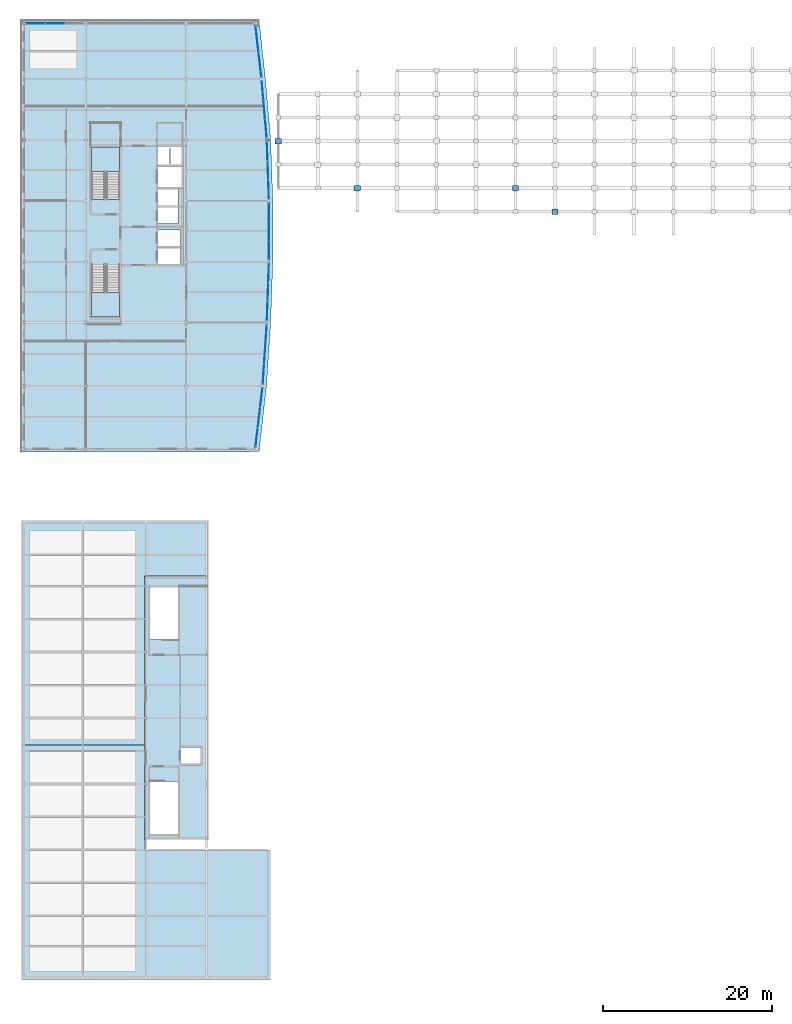
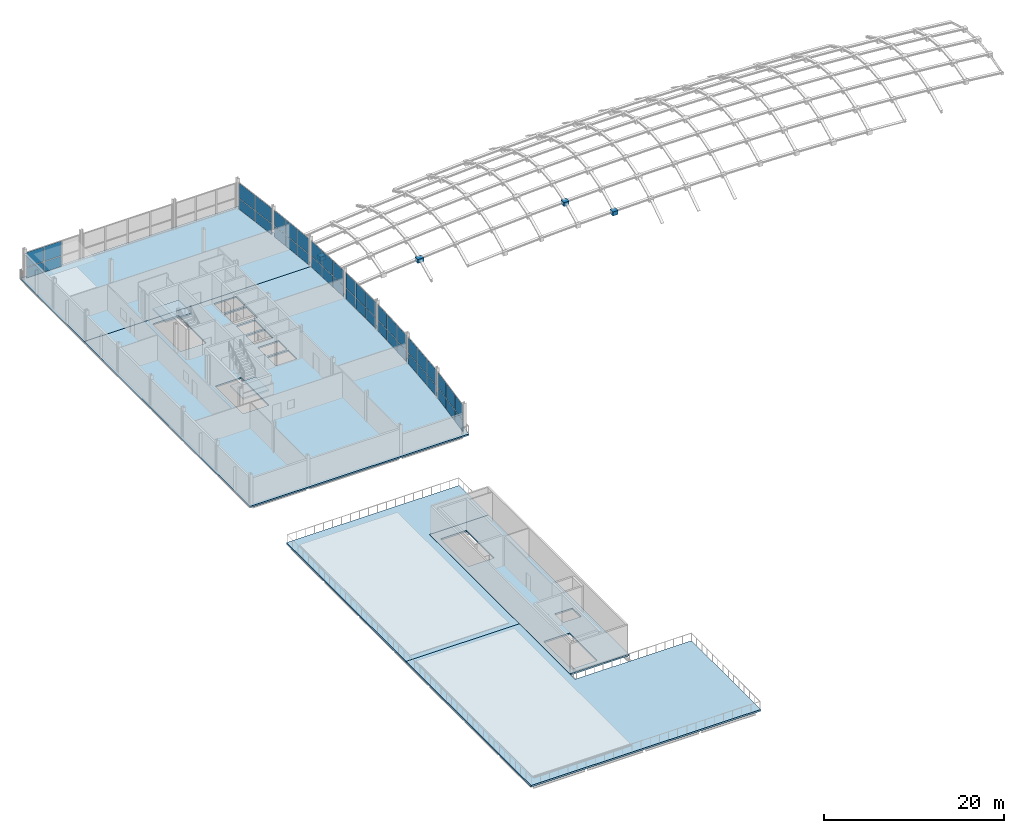
# One storey, part 20 of 36: 48 plates, 7 slabs, 10 elements without a shape of their own.
"""IFC4 building model written with IfcOpenShell, lengths in metres."""

from ifc_helpers import new_model, si_unit, direction, frame, origin, origin_2d, place, context, subcontext, project, spatial, polyline, rectangle, outline, extrude, material, layer, layer_set, type_object, element, aggregate, save


model = new_model("IFC4")

# Units and contexts
model_context = context("Model", 3, precision=1e-05, world=origin(), true_north=direction((0.0, 1.0)))
body_context = subcontext(model_context, "Body", "Model", "MODEL_VIEW")
ifc_project = project(units=[si_unit("LENGTHUNIT", "METRE"), si_unit("AREAUNIT", "SQUARE_METRE"), si_unit("VOLUMEUNIT", "CUBIC_METRE"), si_unit("PLANEANGLEUNIT", "RADIAN"), si_unit("MASSUNIT", "GRAM", prefix="KILO")], contexts=[model_context])

# Site, building, storey
site_placement = place(None, origin())
site = spatial("IfcSite", under=ifc_project, at=site_placement, CompositionType="ELEMENT")
building_placement = place(site_placement, origin())
building = spatial("IfcBuilding", under=site, at=building_placement, Name="Quillay Park Conservatory", CompositionType="ELEMENT")
storey_placement = place(building_placement, frame((0.0, 0.0, 18.300048828125)))
storey = spatial("IfcBuildingStorey", under=building, at=storey_placement, Name="L04", CompositionType="ELEMENT", Elevation=18.300048828125)

# Plates
ifc_material_1 = material(Name="Steel S355J2H", Category="steel")
ifc_layer_1 = layer(ifc_material_1, 0.0439453125)
ifc_layer_set_1 = layer_set([ifc_layer_1], Name="BOLTED GUSSET NODE PLATE GN04 (Steel S355J2H)")
plate_type_1 = type_object("IfcPlateType", Name="BOLTED GUSSET NODE PLATE GN04", PredefinedType="USERDEFINED", material=ifc_layer_set_1)
for number, where, z_axis, x_axis, name in (
    (1, (58.716796875, 93.905029296875, 1.6201171875), (0.0, 0.0, 1.0), (1.0, 0.0, 0.0), "Conservatory gridshell star node GN04 (6,3)"),
    (2, (63.394287109375, 91.1201171875, 0.3974609375), (0.0, 0.0, 1.0), (1.0, 0.0, 0.0), "Conservatory gridshell star node GN04 (7,2)"),
):
    element("IfcPlate", number, at=place(storey_placement, frame(where, z_axis=z_axis, x_axis=x_axis)), inside=storey, type_object=plate_type_1, Name=name, ObjectType="GUSSET PLATE", PredefinedType="USERDEFINED", context=body_context, shape_type="SweptSolid", body=[
        extrude(rectangle(XDim=0.679931640625, YDim=0.679931640625, at=origin_2d()), origin(), (0.0, 0.0, 1.0), 0.5400390625),
    ])
ifc_material_2 = material(Name="Steel S355J2H", Category="steel")
ifc_layer_2 = layer(ifc_material_2, 0.052001953125)
ifc_layer_set_2 = layer_set([ifc_layer_2], Name="BOLTED GUSSET NODE PLATE GN06 (Steel S355J2H)")
plate_type_2 = type_object("IfcPlateType", Name="BOLTED GUSSET NODE PLATE GN06", PredefinedType="USERDEFINED", material=ifc_layer_set_2)
for number, where, z_axis, x_axis, name in (
    (3, (30.64990234375, 99.47509765625, 0.6474609375), (0.0, 0.0, 1.0), (1.0, 0.0, 0.0), "Conservatory gridshell star node GN06 (0,5)"),
    (4, (40.005615234375, 93.905029296875, 0.4560546875), (0.0, 0.0, 1.0), (1.0, 0.0, 0.0), "Conservatory gridshell star node GN06 (2,3)"),
):
    element("IfcPlate", number, at=place(storey_placement, frame(where, z_axis=z_axis, x_axis=x_axis)), inside=storey, type_object=plate_type_2, Name=name, ObjectType="GUSSET PLATE", PredefinedType="USERDEFINED", context=body_context, shape_type="SweptSolid", body=[
        extrude(rectangle(XDim=0.760009765625, YDim=0.639892578125, at=origin_2d()), origin(), (0.0, 0.0, 1.0), 0.5400390625),
    ])

# Curtain wall, plates
ifc_material_3 = material(Name="Thermally Broken Anodised Aluminium 6063-T6", Category="aluminium")
ifc_layer_3 = layer(ifc_material_3, 0.179931640625)
ifc_layer_set_3 = layer_set([ifc_layer_3], Name="UNITISED CURTAIN WALL TOWER (Thermally Broken Anodised Aluminium 6063-T6)")
curtain_wall_type = type_object("IfcCurtainWallType", Name="UNITISED CURTAIN WALL TOWER", PredefinedType="USERDEFINED", material=ifc_layer_set_3)
curtain_wall_1_placement = place(storey_placement, origin())
curtain_wall_1 = element("IfcCurtainWall", 5, at=curtain_wall_1_placement, inside=storey, type_object=curtain_wall_type, Name="L04 Unitised Curtain Wall 038", ObjectType="UNITISED CURTAIN WALL", PredefinedType="USERDEFINED")
ifc_material_4 = material(Name="Low-E Double Glazing (Laminated Tempered)", Category="glass")
ifc_layer_4 = layer(ifc_material_4, 0.028076171875)
ifc_layer_set_4 = layer_set([ifc_layer_4], Name="CURTAIN WALL GLAZED PANEL 28 (Low-E Double Glazing (Laminated Tempered))")
plate_type_3 = type_object("IfcPlateType", Name="CURTAIN WALL GLAZED PANEL 28", PredefinedType="CURTAIN_PANEL", material=ifc_layer_set_4)
plate_1_placement = place(storey_placement, frame((28.636474609375, 69.108642578125, 0.06982421875), z_axis=(0.0, 0.0, 1.0), x_axis=(-0.116654959918, -0.993172502804, 0.0)))
plate_1 = element("IfcPlate", 6, at=plate_1_placement, type_object=plate_type_3, Name="CW-T1 panel 1.1", PredefinedType="CURTAIN_PANEL", context=body_context, shape_type="SweptSolid", body=[
    extrude(rectangle(XDim=2.26220703125, YDim=0.028076171875, at=origin_2d()), origin(), (0.0, 0.0, 1.0), 1.4541015625),
])
plate_2_placement = place(storey_placement, frame((28.636474609375, 69.108642578125, 1.59375), z_axis=(0.0, 0.0, 1.0), x_axis=(-0.116654959918, -0.993172502804, 0.0)))
plate_2 = element("IfcPlate", 7, at=plate_2_placement, type_object=plate_type_3, Name="CW-T1 panel 1.2", PredefinedType="CURTAIN_PANEL", context=body_context, shape_type="SweptSolid", body=[
    extrude(rectangle(XDim=2.26220703125, YDim=0.028076171875, at=origin_2d()), origin(), (0.0, 0.0, 1.0), 2.048095703125),
])
plate_3_placement = place(storey_placement, frame((28.362548828125, 66.77490234375, 0.06982421875), z_axis=(0.0, 0.0, 1.0), x_axis=(-0.116654959918, -0.993172502804, 0.0)))
plate_3 = element("IfcPlate", 8, at=plate_3_placement, type_object=plate_type_3, Name="CW-T1 panel 2.1", PredefinedType="CURTAIN_PANEL", context=body_context, shape_type="SweptSolid", body=[
    extrude(rectangle(XDim=2.297119140625, YDim=0.028076171875, at=origin_2d()), origin(), (0.0, 0.0, 1.0), 1.4541015625),
])
plate_4_placement = place(storey_placement, frame((28.362548828125, 66.77490234375, 1.59375), z_axis=(0.0, 0.0, 1.0), x_axis=(-0.116654959918, -0.993172502804, 0.0)))
plate_4 = element("IfcPlate", 9, at=plate_4_placement, type_object=plate_type_3, Name="CW-T1 panel 2.2", PredefinedType="CURTAIN_PANEL", context=body_context, shape_type="SweptSolid", body=[
    extrude(rectangle(XDim=2.297119140625, YDim=0.028076171875, at=origin_2d()), origin(), (0.0, 0.0, 1.0), 2.048095703125),
])
plate_5_placement = place(storey_placement, frame((28.08837890625, 64.44140625, 0.06982421875), z_axis=(0.0, 0.0, 1.0), x_axis=(-0.116654959918, -0.993172502804, 0.0)))
plate_5 = element("IfcPlate", 10, at=plate_5_placement, type_object=plate_type_3, Name="CW-T1 panel 3.1", PredefinedType="CURTAIN_PANEL", context=body_context, shape_type="SweptSolid", body=[
    extrude(rectangle(XDim=2.26220703125, YDim=0.028076171875, at=origin_2d()), origin(), (0.0, 0.0, 1.0), 1.4541015625),
])
plate_6_placement = place(storey_placement, frame((28.08837890625, 64.44140625, 1.59375), z_axis=(0.0, 0.0, 1.0), x_axis=(-0.116654959918, -0.993172502804, 0.0)))
plate_6 = element("IfcPlate", 11, at=plate_6_placement, type_object=plate_type_3, Name="CW-T1 panel 3.2", PredefinedType="CURTAIN_PANEL", context=body_context, shape_type="SweptSolid", body=[
    extrude(rectangle(XDim=2.26220703125, YDim=0.028076171875, at=origin_2d()), origin(), (0.0, 0.0, 1.0), 2.048095703125),
])
aggregate(curtain_wall_1, [plate_1, plate_2, plate_3, plate_4, plate_5, plate_6])

curtain_wall_2_placement = place(storey_placement, origin())
curtain_wall_2 = element("IfcCurtainWall", 12, at=curtain_wall_2_placement, inside=storey, type_object=curtain_wall_type, Name="L04 Unitised Curtain Wall 039", ObjectType="UNITISED CURTAIN WALL", PredefinedType="USERDEFINED")
plate_7_placement = place(storey_placement, frame((29.20654296875, 76.599365234375, 0.06982421875), z_axis=(0.0, 0.0, 1.0), x_axis=(-0.0665208758, -0.997785033503, 0.0)))
plate_7 = element("IfcPlate", 13, at=plate_7_placement, type_object=plate_type_3, Name="CW-T1 panel 1.1", PredefinedType="CURTAIN_PANEL", context=body_context, shape_type="SweptSolid", body=[
    extrude(rectangle(XDim=2.26708984375, YDim=0.028076171875, at=origin_2d()), origin(), (0.0, 0.0, 1.0), 1.4541015625),
])
plate_8_placement = place(storey_placement, frame((29.20654296875, 76.599365234375, 1.59375), z_axis=(0.0, 0.0, 1.0), x_axis=(-0.0665208758, -0.997785033503, 0.0)))
plate_8 = element("IfcPlate", 14, at=plate_8_placement, type_object=plate_type_3, Name="CW-T1 panel 1.2", PredefinedType="CURTAIN_PANEL", context=body_context, shape_type="SweptSolid", body=[
    extrude(rectangle(XDim=2.26708984375, YDim=0.028076171875, at=origin_2d()), origin(), (0.0, 0.0, 1.0), 2.048095703125),
])
plate_9_placement = place(storey_placement, frame((29.050048828125, 74.25, 0.06982421875), z_axis=(0.0, 0.0, 1.0), x_axis=(-0.0665208758, -0.997785033503, 0.0)))
plate_9 = element("IfcPlate", 15, at=plate_9_placement, type_object=plate_type_3, Name="CW-T1 panel 2.1", PredefinedType="CURTAIN_PANEL", context=body_context, shape_type="SweptSolid", body=[
    extrude(rectangle(XDim=2.30224609375, YDim=0.028076171875, at=origin_2d()), origin(), (0.0, 0.0, 1.0), 1.4541015625),
])
plate_10_placement = place(storey_placement, frame((29.050048828125, 74.25, 1.59375), z_axis=(0.0, 0.0, 1.0), x_axis=(-0.0665208758, -0.997785033503, 0.0)))
plate_10 = element("IfcPlate", 16, at=plate_10_placement, type_object=plate_type_3, Name="CW-T1 panel 2.2", PredefinedType="CURTAIN_PANEL", context=body_context, shape_type="SweptSolid", body=[
    extrude(rectangle(XDim=2.30224609375, YDim=0.028076171875, at=origin_2d()), origin(), (0.0, 0.0, 1.0), 2.048095703125),
])
plate_11_placement = place(storey_placement, frame((28.893310546875, 71.900634765625, 0.06982421875), z_axis=(0.0, 0.0, 1.0), x_axis=(-0.0665208758, -0.997785033503, 0.0)))
plate_11 = element("IfcPlate", 17, at=plate_11_placement, type_object=plate_type_3, Name="CW-T1 panel 3.1", PredefinedType="CURTAIN_PANEL", context=body_context, shape_type="SweptSolid", body=[
    extrude(rectangle(XDim=2.26708984375, YDim=0.028076171875, at=origin_2d()), origin(), (0.0, 0.0, 1.0), 1.4541015625),
])
plate_12_placement = place(storey_placement, frame((28.893310546875, 71.900634765625, 1.59375), z_axis=(0.0, 0.0, 1.0), x_axis=(-0.0665208758, -0.997785033503, 0.0)))
plate_12 = element("IfcPlate", 18, at=plate_12_placement, type_object=plate_type_3, Name="CW-T1 panel 3.2", PredefinedType="CURTAIN_PANEL", context=body_context, shape_type="SweptSolid", body=[
    extrude(rectangle(XDim=2.26708984375, YDim=0.028076171875, at=origin_2d()), origin(), (0.0, 0.0, 1.0), 2.048095703125),
])
aggregate(curtain_wall_2, [plate_7, plate_8, plate_9, plate_10, plate_11, plate_12])

curtain_wall_3_placement = place(storey_placement, origin())
curtain_wall_3 = element("IfcCurtainWall", 19, at=curtain_wall_3_placement, inside=storey, type_object=curtain_wall_type, Name="L04 Unitised Curtain Wall 040", ObjectType="UNITISED CURTAIN WALL", PredefinedType="USERDEFINED")
plate_13_placement = place(storey_placement, frame((29.503173828125, 83.849365234375, 0.06982421875), z_axis=(0.0, 0.0, 1.0), x_axis=(-0.034713338537, -0.999397310446, 0.0)))
plate_13 = element("IfcPlate", 20, at=plate_13_placement, type_object=plate_type_3, Name="CW-T1 panel 1.1", PredefinedType="CURTAIN_PANEL", context=body_context, shape_type="SweptSolid", body=[
    extrude(rectangle(XDim=2.1630859375, YDim=0.028076171875, at=origin_2d()), origin(), (0.0, 0.0, 1.0), 1.4541015625),
])
plate_14_placement = place(storey_placement, frame((29.503173828125, 83.849365234375, 1.59375), z_axis=(0.0, 0.0, 1.0), x_axis=(-0.034713338537, -0.999397310446, 0.0)))
plate_14 = element("IfcPlate", 21, at=plate_14_placement, type_object=plate_type_3, Name="CW-T1 panel 1.2", PredefinedType="CURTAIN_PANEL", context=body_context, shape_type="SweptSolid", body=[
    extrude(rectangle(XDim=2.1630859375, YDim=0.028076171875, at=origin_2d()), origin(), (0.0, 0.0, 1.0), 2.048095703125),
])
plate_15_placement = place(storey_placement, frame((29.425048828125, 81.60009765625, 0.06982421875), z_axis=(0.0, 0.0, 1.0), x_axis=(-0.034713338537, -0.999397310446, 0.0)))
plate_15 = element("IfcPlate", 22, at=plate_15_placement, type_object=plate_type_3, Name="CW-T1 panel 2.1", PredefinedType="CURTAIN_PANEL", context=body_context, shape_type="SweptSolid", body=[
    extrude(rectangle(XDim=2.197998046875, YDim=0.028076171875, at=origin_2d()), origin(), (0.0, 0.0, 1.0), 1.4541015625),
])
plate_16_placement = place(storey_placement, frame((29.425048828125, 81.60009765625, 1.59375), z_axis=(0.0, 0.0, 1.0), x_axis=(-0.034713338537, -0.999397310446, 0.0)))
plate_16 = element("IfcPlate", 23, at=plate_16_placement, type_object=plate_type_3, Name="CW-T1 panel 2.2", PredefinedType="CURTAIN_PANEL", context=body_context, shape_type="SweptSolid", body=[
    extrude(rectangle(XDim=2.197998046875, YDim=0.028076171875, at=origin_2d()), origin(), (0.0, 0.0, 1.0), 2.048095703125),
])
plate_17_placement = place(storey_placement, frame((29.346923828125, 79.350830078125, 0.06982421875), z_axis=(0.0, 0.0, 1.0), x_axis=(-0.034713338537, -0.999397310446, 0.0)))
plate_17 = element("IfcPlate", 24, at=plate_17_placement, type_object=plate_type_3, Name="CW-T1 panel 3.1", PredefinedType="CURTAIN_PANEL", context=body_context, shape_type="SweptSolid", body=[
    extrude(rectangle(XDim=2.1630859375, YDim=0.028076171875, at=origin_2d()), origin(), (0.0, 0.0, 1.0), 1.4541015625),
])
plate_18_placement = place(storey_placement, frame((29.346923828125, 79.350830078125, 1.59375), z_axis=(0.0, 0.0, 1.0), x_axis=(-0.034713338537, -0.999397310446, 0.0)))
plate_18 = element("IfcPlate", 25, at=plate_18_placement, type_object=plate_type_3, Name="CW-T1 panel 3.2", PredefinedType="CURTAIN_PANEL", context=body_context, shape_type="SweptSolid", body=[
    extrude(rectangle(XDim=2.1630859375, YDim=0.028076171875, at=origin_2d()), origin(), (0.0, 0.0, 1.0), 2.048095703125),
])
aggregate(curtain_wall_3, [plate_13, plate_14, plate_15, plate_16, plate_17, plate_18])

curtain_wall_4_placement = place(storey_placement, origin())
curtain_wall_4 = element("IfcCurtainWall", 26, at=curtain_wall_4_placement, inside=storey, type_object=curtain_wall_type, Name="L04 Unitised Curtain Wall 041", ObjectType="UNITISED CURTAIN WALL", PredefinedType="USERDEFINED")
plate_19_placement = place(storey_placement, frame((29.550048828125, 91.049072265625, 0.06982421875), z_axis=(0.0, 0.0, 1.0), x_axis=(0.0, -1.0, 0.0)))
plate_19 = element("IfcPlate", 27, at=plate_19_placement, type_object=plate_type_3, Name="CW-T1 panel 1.1", PredefinedType="CURTAIN_PANEL", context=body_context, shape_type="SweptSolid", body=[
    extrude(rectangle(XDim=2.16162109375, YDim=0.028076171875, at=origin_2d()), origin(), (0.0, 0.0, 1.0), 1.4541015625),
])
plate_20_placement = place(storey_placement, frame((29.550048828125, 91.049072265625, 1.59375), z_axis=(0.0, 0.0, 1.0), x_axis=(0.0, -1.0, 0.0)))
plate_20 = element("IfcPlate", 28, at=plate_20_placement, type_object=plate_type_3, Name="CW-T1 panel 1.2", PredefinedType="CURTAIN_PANEL", context=body_context, shape_type="SweptSolid", body=[
    extrude(rectangle(XDim=2.16162109375, YDim=0.028076171875, at=origin_2d()), origin(), (0.0, 0.0, 1.0), 2.048095703125),
])
plate_21_placement = place(storey_placement, frame((29.550048828125, 88.800048828125, 0.06982421875), z_axis=(0.0, 0.0, 1.0), x_axis=(0.0, -1.0, 0.0)))
plate_21 = element("IfcPlate", 29, at=plate_21_placement, type_object=plate_type_3, Name="CW-T1 panel 2.1", PredefinedType="CURTAIN_PANEL", context=body_context, shape_type="SweptSolid", body=[
    extrude(rectangle(XDim=2.19677734375, YDim=0.028076171875, at=origin_2d()), origin(), (0.0, 0.0, 1.0), 1.4541015625),
])
plate_22_placement = place(storey_placement, frame((29.550048828125, 88.800048828125, 1.59375), z_axis=(0.0, 0.0, 1.0), x_axis=(0.0, -1.0, 0.0)))
plate_22 = element("IfcPlate", 30, at=plate_22_placement, type_object=plate_type_3, Name="CW-T1 panel 2.2", PredefinedType="CURTAIN_PANEL", context=body_context, shape_type="SweptSolid", body=[
    extrude(rectangle(XDim=2.19677734375, YDim=0.028076171875, at=origin_2d()), origin(), (0.0, 0.0, 1.0), 2.048095703125),
])
plate_23_placement = place(storey_placement, frame((29.550048828125, 86.55078125, 0.06982421875), z_axis=(0.0, 0.0, 1.0), x_axis=(0.0, -1.0, 0.0)))
plate_23 = element("IfcPlate", 31, at=plate_23_placement, type_object=plate_type_3, Name="CW-T1 panel 3.1", PredefinedType="CURTAIN_PANEL", context=body_context, shape_type="SweptSolid", body=[
    extrude(rectangle(XDim=2.16162109375, YDim=0.028076171875, at=origin_2d()), origin(), (0.0, 0.0, 1.0), 1.4541015625),
])
plate_24_placement = place(storey_placement, frame((29.550048828125, 86.55078125, 1.59375), z_axis=(0.0, 0.0, 1.0), x_axis=(0.0, -1.0, 0.0)))
plate_24 = element("IfcPlate", 32, at=plate_24_placement, type_object=plate_type_3, Name="CW-T1 panel 3.2", PredefinedType="CURTAIN_PANEL", context=body_context, shape_type="SweptSolid", body=[
    extrude(rectangle(XDim=2.16162109375, YDim=0.028076171875, at=origin_2d()), origin(), (0.0, 0.0, 1.0), 2.048095703125),
])
aggregate(curtain_wall_4, [plate_19, plate_20, plate_21, plate_22, plate_23, plate_24])

curtain_wall_5_placement = place(storey_placement, origin())
curtain_wall_5 = element("IfcCurtainWall", 33, at=curtain_wall_5_placement, inside=storey, type_object=curtain_wall_type, Name="L04 Unitised Curtain Wall 042", ObjectType="UNITISED CURTAIN WALL", PredefinedType="USERDEFINED")
plate_25_placement = place(storey_placement, frame((29.346923828125, 98.249267578125, 0.06982421875), z_axis=(0.0, 0.0, 1.0), x_axis=(0.034713338537, -0.999397310446, 0.0)))
plate_25 = element("IfcPlate", 34, at=plate_25_placement, type_object=plate_type_3, Name="CW-T1 panel 1.1", PredefinedType="CURTAIN_PANEL", context=body_context, shape_type="SweptSolid", body=[
    extrude(rectangle(XDim=2.1630859375, YDim=0.028076171875, at=origin_2d()), origin(), (0.0, 0.0, 1.0), 1.4541015625),
])
plate_26_placement = place(storey_placement, frame((29.346923828125, 98.249267578125, 1.59375), z_axis=(0.0, 0.0, 1.0), x_axis=(0.034713338537, -0.999397310446, 0.0)))
plate_26 = element("IfcPlate", 35, at=plate_26_placement, type_object=plate_type_3, Name="CW-T1 panel 1.2", PredefinedType="CURTAIN_PANEL", context=body_context, shape_type="SweptSolid", body=[
    extrude(rectangle(XDim=2.1630859375, YDim=0.028076171875, at=origin_2d()), origin(), (0.0, 0.0, 1.0), 2.048095703125),
])
plate_27_placement = place(storey_placement, frame((29.425048828125, 96.0, 0.06982421875), z_axis=(0.0, 0.0, 1.0), x_axis=(0.034713338537, -0.999397310446, 0.0)))
plate_27 = element("IfcPlate", 36, at=plate_27_placement, type_object=plate_type_3, Name="CW-T1 panel 2.1", PredefinedType="CURTAIN_PANEL", context=body_context, shape_type="SweptSolid", body=[
    extrude(rectangle(XDim=2.197998046875, YDim=0.028076171875, at=origin_2d()), origin(), (0.0, 0.0, 1.0), 1.4541015625),
])
plate_28_placement = place(storey_placement, frame((29.425048828125, 96.0, 1.59375), z_axis=(0.0, 0.0, 1.0), x_axis=(0.034713338537, -0.999397310446, 0.0)))
plate_28 = element("IfcPlate", 37, at=plate_28_placement, type_object=plate_type_3, Name="CW-T1 panel 2.2", PredefinedType="CURTAIN_PANEL", context=body_context, shape_type="SweptSolid", body=[
    extrude(rectangle(XDim=2.197998046875, YDim=0.028076171875, at=origin_2d()), origin(), (0.0, 0.0, 1.0), 2.048095703125),
])
plate_29_placement = place(storey_placement, frame((29.503173828125, 93.750732421875, 0.06982421875), z_axis=(0.0, 0.0, 1.0), x_axis=(0.034713338537, -0.999397310446, 0.0)))
plate_29 = element("IfcPlate", 38, at=plate_29_placement, type_object=plate_type_3, Name="CW-T1 panel 3.1", PredefinedType="CURTAIN_PANEL", context=body_context, shape_type="SweptSolid", body=[
    extrude(rectangle(XDim=2.1630859375, YDim=0.028076171875, at=origin_2d()), origin(), (0.0, 0.0, 1.0), 1.4541015625),
])
plate_30_placement = place(storey_placement, frame((29.503173828125, 93.750732421875, 1.59375), z_axis=(0.0, 0.0, 1.0), x_axis=(0.034713338537, -0.999397310446, 0.0)))
plate_30 = element("IfcPlate", 39, at=plate_30_placement, type_object=plate_type_3, Name="CW-T1 panel 3.2", PredefinedType="CURTAIN_PANEL", context=body_context, shape_type="SweptSolid", body=[
    extrude(rectangle(XDim=2.1630859375, YDim=0.028076171875, at=origin_2d()), origin(), (0.0, 0.0, 1.0), 2.048095703125),
])
aggregate(curtain_wall_5, [plate_25, plate_26, plate_27, plate_28, plate_29, plate_30])

curtain_wall_6_placement = place(storey_placement, origin())
curtain_wall_6 = element("IfcCurtainWall", 40, at=curtain_wall_6_placement, inside=storey, type_object=curtain_wall_type, Name="L04 Unitised Curtain Wall 043", ObjectType="UNITISED CURTAIN WALL", PredefinedType="USERDEFINED")
plate_31_placement = place(storey_placement, frame((28.792236328125, 105.44970703125, 0.06982421875), z_axis=(0.0, 0.0, 1.0), x_axis=(0.086480444465, -0.996253548413, 0.0)))
plate_31 = element("IfcPlate", 41, at=plate_31_placement, type_object=plate_type_3, Name="CW-T1 panel 1.1", PredefinedType="CURTAIN_PANEL", context=body_context, shape_type="SweptSolid", body=[
    extrude(rectangle(XDim=2.170654296875, YDim=0.028076171875, at=origin_2d()), origin(), (0.0, 0.0, 1.0), 1.4541015625),
])
plate_32_placement = place(storey_placement, frame((28.792236328125, 105.44970703125, 1.59375), z_axis=(0.0, 0.0, 1.0), x_axis=(0.086480444465, -0.996253548413, 0.0)))
plate_32 = element("IfcPlate", 42, at=plate_32_placement, type_object=plate_type_3, Name="CW-T1 panel 1.2", PredefinedType="CURTAIN_PANEL", context=body_context, shape_type="SweptSolid", body=[
    extrude(rectangle(XDim=2.170654296875, YDim=0.028076171875, at=origin_2d()), origin(), (0.0, 0.0, 1.0), 2.048095703125),
])
plate_33_placement = place(storey_placement, frame((28.987548828125, 103.199951171875, 0.06982421875), z_axis=(0.0, 0.0, 1.0), x_axis=(0.086480444465, -0.996253548413, 0.0)))
plate_33 = element("IfcPlate", 43, at=plate_33_placement, type_object=plate_type_3, Name="CW-T1 panel 2.1", PredefinedType="CURTAIN_PANEL", context=body_context, shape_type="SweptSolid", body=[
    extrude(rectangle(XDim=2.20556640625, YDim=0.028076171875, at=origin_2d()), origin(), (0.0, 0.0, 1.0), 1.4541015625),
])
plate_34_placement = place(storey_placement, frame((28.987548828125, 103.199951171875, 1.59375), z_axis=(0.0, 0.0, 1.0), x_axis=(0.086480444465, -0.996253548413, 0.0)))
plate_34 = element("IfcPlate", 44, at=plate_34_placement, type_object=plate_type_3, Name="CW-T1 panel 2.2", PredefinedType="CURTAIN_PANEL", context=body_context, shape_type="SweptSolid", body=[
    extrude(rectangle(XDim=2.20556640625, YDim=0.028076171875, at=origin_2d()), origin(), (0.0, 0.0, 1.0), 2.048095703125),
])
plate_35_placement = place(storey_placement, frame((29.182861328125, 100.9501953125, 0.06982421875), z_axis=(0.0, 0.0, 1.0), x_axis=(0.086480444465, -0.996253548413, 0.0)))
plate_35 = element("IfcPlate", 45, at=plate_35_placement, type_object=plate_type_3, Name="CW-T1 panel 3.1", PredefinedType="CURTAIN_PANEL", context=body_context, shape_type="SweptSolid", body=[
    extrude(rectangle(XDim=2.170654296875, YDim=0.028076171875, at=origin_2d()), origin(), (0.0, 0.0, 1.0), 1.4541015625),
])
plate_36_placement = place(storey_placement, frame((29.182861328125, 100.9501953125, 1.59375), z_axis=(0.0, 0.0, 1.0), x_axis=(0.086480444465, -0.996253548413, 0.0)))
plate_36 = element("IfcPlate", 46, at=plate_36_placement, type_object=plate_type_3, Name="CW-T1 panel 3.2", PredefinedType="CURTAIN_PANEL", context=body_context, shape_type="SweptSolid", body=[
    extrude(rectangle(XDim=2.170654296875, YDim=0.028076171875, at=origin_2d()), origin(), (0.0, 0.0, 1.0), 2.048095703125),
])
aggregate(curtain_wall_6, [plate_31, plate_32, plate_33, plate_34, plate_35, plate_36])

curtain_wall_7_placement = place(storey_placement, origin())
curtain_wall_7 = element("IfcCurtainWall", 47, at=curtain_wall_7_placement, inside=storey, type_object=curtain_wall_type, Name="L04 Unitised Curtain Wall 044", ObjectType="UNITISED CURTAIN WALL", PredefinedType="USERDEFINED")
plate_37_placement = place(storey_placement, frame((28.125732421875, 111.63330078125, 0.06982421875), z_axis=(0.0, 0.0, 1.0), x_axis=(0.112903218278, -0.993605989969, 0.0)))
plate_37 = element("IfcPlate", 48, at=plate_37_placement, type_object=plate_type_3, Name="CW-T1 panel 1.1", PredefinedType="CURTAIN_PANEL", context=body_context, shape_type="SweptSolid", body=[
    extrude(rectangle(XDim=3.016357421875, YDim=0.028076171875, at=origin_2d()), origin(), (0.0, 0.0, 1.0), 1.4541015625),
])
plate_38_placement = place(storey_placement, frame((28.125732421875, 111.63330078125, 1.59375), z_axis=(0.0, 0.0, 1.0), x_axis=(0.112903218278, -0.993605989969, 0.0)))
plate_38 = element("IfcPlate", 49, at=plate_38_placement, type_object=plate_type_3, Name="CW-T1 panel 1.2", PredefinedType="CURTAIN_PANEL", context=body_context, shape_type="SweptSolid", body=[
    extrude(rectangle(XDim=3.016357421875, YDim=0.028076171875, at=origin_2d()), origin(), (0.0, 0.0, 1.0), 2.048095703125),
])
plate_39_placement = place(storey_placement, frame((28.47412109375, 108.566650390625, 0.06982421875), z_axis=(0.0, 0.0, 1.0), x_axis=(0.112903218278, -0.993605989969, 0.0)))
plate_39 = element("IfcPlate", 50, at=plate_39_placement, type_object=plate_type_3, Name="CW-T1 panel 2.1", PredefinedType="CURTAIN_PANEL", context=body_context, shape_type="SweptSolid", body=[
    extrude(rectangle(XDim=3.016357421875, YDim=0.028076171875, at=origin_2d()), origin(), (0.0, 0.0, 1.0), 1.4541015625),
])
plate_40_placement = place(storey_placement, frame((28.47412109375, 108.566650390625, 1.59375), z_axis=(0.0, 0.0, 1.0), x_axis=(0.112903218278, -0.993605989969, 0.0)))
plate_40 = element("IfcPlate", 51, at=plate_40_placement, type_object=plate_type_3, Name="CW-T1 panel 2.2", PredefinedType="CURTAIN_PANEL", context=body_context, shape_type="SweptSolid", body=[
    extrude(rectangle(XDim=3.016357421875, YDim=0.028076171875, at=origin_2d()), origin(), (0.0, 0.0, 1.0), 2.048095703125),
])
aggregate(curtain_wall_7, [plate_37, plate_38, plate_39, plate_40])

curtain_wall_8_placement = place(storey_placement, origin())
curtain_wall_8 = element("IfcCurtainWall", 52, at=curtain_wall_8_placement, inside=storey, type_object=curtain_wall_type, Name="L04 Unitised Curtain Wall 045", ObjectType="UNITISED CURTAIN WALL", PredefinedType="USERDEFINED")
plate_41_placement = place(storey_placement, frame((1.91748046875, 113.39990234375, 0.06982421875), z_axis=(0.0, 0.0, 1.0), x_axis=(1.0, 0.0, 0.0)))
plate_41 = element("IfcPlate", 53, at=plate_41_placement, type_object=plate_type_3, Name="CW-T1 panel 1.1", PredefinedType="CURTAIN_PANEL", context=body_context, shape_type="SweptSolid", body=[
    extrude(rectangle(XDim=2.195068359375, YDim=0.028076171875, at=origin_2d()), origin(), (0.0, 0.0, 1.0), 1.406494140625),
])
plate_42_placement = place(storey_placement, frame((1.91748046875, 113.39990234375, 1.546630859375), z_axis=(0.0, 0.0, 1.0), x_axis=(1.0, 0.0, 0.0)))
plate_42 = element("IfcPlate", 54, at=plate_42_placement, type_object=plate_type_3, Name="CW-T1 panel 1.2", PredefinedType="CURTAIN_PANEL", context=body_context, shape_type="SweptSolid", body=[
    extrude(rectangle(XDim=2.195068359375, YDim=0.028076171875, at=origin_2d()), origin(), (0.0, 0.0, 1.0), 1.982421875),
])
plate_43_placement = place(storey_placement, frame((4.199951171875, 113.39990234375, 0.06982421875), z_axis=(0.0, 0.0, 1.0), x_axis=(1.0, 0.0, 0.0)))
plate_43 = element("IfcPlate", 55, at=plate_43_placement, type_object=plate_type_3, Name="CW-T1 panel 2.1", PredefinedType="CURTAIN_PANEL", context=body_context, shape_type="SweptSolid", body=[
    extrude(rectangle(XDim=2.22998046875, YDim=0.028076171875, at=origin_2d()), origin(), (0.0, 0.0, 1.0), 1.406494140625),
])
plate_44_placement = place(storey_placement, frame((4.199951171875, 113.39990234375, 1.546630859375), z_axis=(0.0, 0.0, 1.0), x_axis=(1.0, 0.0, 0.0)))
plate_44 = element("IfcPlate", 56, at=plate_44_placement, type_object=plate_type_3, Name="CW-T1 panel 2.2", PredefinedType="CURTAIN_PANEL", context=body_context, shape_type="SweptSolid", body=[
    extrude(rectangle(XDim=2.22998046875, YDim=0.028076171875, at=origin_2d()), origin(), (0.0, 0.0, 1.0), 1.982421875),
])
aggregate(curtain_wall_8, [plate_41, plate_42, plate_43, plate_44])

# Slabs
ifc_material_5 = material(Name="Concrete C35/45 (NCh170 Concrete C35/45)", Category="concrete")
ifc_layer_5 = layer(ifc_material_5, 0.22509765625)
ifc_layer_set_5 = layer_set([ifc_layer_5], Name="OUTDOOR TERRACE SLAB 225 (Concrete C35/45 (NCh170 Concrete C35/45))")
slab_type_1 = type_object("IfcSlabType", Name="OUTDOOR TERRACE SLAB 225", PredefinedType="FLOOR", material=ifc_layer_set_5)
slab_1_placement = place(storey_placement, frame((0.0, 0.0, -0.22509765625)))
element("IfcSlab", 57, at=slab_1_placement, inside=storey, type_object=slab_type_1, Name="L04 Visitor Planted Roof Garden South Terrace", PredefinedType="FLOOR", context=body_context, shape_type="SweptSolid", body=[
    extrude(outline(polyline([(0.25, 0.199951171875), (29.75, 0.199951171875), (29.75, 15.60009765625), (14.800048828125, 15.60009765625), (14.800048828125, 28.0), (0.25, 28.0), (0.25, 0.199951171875)])), origin(), (0.0, 0.0, 1.0), 0.22509765625),
])
slab_2_placement = place(storey_placement, frame((0.0, 0.0, -0.22509765625)))
element("IfcSlab", 58, at=slab_2_placement, inside=storey, type_object=slab_type_1, Name="L04 Visitor Planted Roof Garden North Terrace", PredefinedType="FLOOR", context=body_context, shape_type="SweptSolid", body=[
    extrude(outline(polyline([(0.25, 28.0), (14.800048828125, 28.0), (14.800048828125, 48.0), (22.39990234375, 48.0), (22.39990234375, 54.60009765625), (0.25, 54.60009765625), (0.25, 28.0)])), origin(), (0.0, 0.0, 1.0), 0.22509765625),
])

# Stair, slab
ifc_material_6 = material(Name="Concrete C35/45 (NCh170 Concrete C35/45)", Category="concrete")
stair_type = type_object("IfcStairType", Name="ENCLOSED DOG LEG STAIR 4200", PredefinedType="HALF_TURN_STAIR", material=ifc_material_6)
stair_1_placement = place(storey_placement, origin())
stair_1 = element("IfcStair", 59, at=stair_1_placement, inside=storey, type_object=stair_type, Name="L04 Tower Protected Exit Stair 1", PredefinedType="HALF_TURN_STAIR")
ifc_material_7 = material(Name="Concrete C35/45 (NCh170 Concrete C35/45)", Category="concrete")
ifc_layer_6 = layer(ifc_material_7, 0.199951171875)
ifc_layer_set_6 = layer_set([ifc_layer_6], Name="STAIR LANDING SLAB 200 (Concrete C35/45 (NCh170 Concrete C35/45))")
slab_type_2 = type_object("IfcSlabType", Name="STAIR LANDING SLAB 200", PredefinedType="LANDING", material=ifc_layer_set_6)
slab_3_placement = place(storey_placement, frame((0.0, 0.0, 1.89990234375)))
slab_3 = element("IfcSlab", 60, at=slab_3_placement, type_object=slab_type_2, Name="ST-T1 landing 1", PredefinedType="LANDING", context=body_context, shape_type="SweptSolid", body=[
    extrude(outline(polyline([(11.8701171875, 95.85009765625), (11.8701171875, 98.75), (8.550048828125, 98.75), (8.550048828125, 95.85009765625), (11.8701171875, 95.85009765625)])), origin(), (0.0, 0.0, 1.0), 0.199951171875),
])
aggregate(stair_1, [slab_3])

stair_2_placement = place(storey_placement, origin())
stair_2 = element("IfcStair", 61, at=stair_2_placement, inside=storey, type_object=stair_type, Name="L04 Tower Protected Exit Stair 2", PredefinedType="HALF_TURN_STAIR")
slab_4_placement = place(storey_placement, frame((0.0, 0.0, 1.89990234375)))
slab_4 = element("IfcSlab", 62, at=slab_4_placement, type_object=slab_type_2, Name="ST-T2 landing 1", PredefinedType="LANDING", context=body_context, shape_type="SweptSolid", body=[
    extrude(outline(polyline([(8.550048828125, 81.550048828125), (8.550048828125, 78.64990234375), (11.8701171875, 78.64990234375), (11.8701171875, 81.550048828125), (8.550048828125, 81.550048828125)])), origin(), (0.0, 0.0, 1.0), 0.199951171875),
])
aggregate(stair_2, [slab_4])

# Slabs
ifc_material_8 = material(Name="Concrete C35/45 (NCh170 Concrete C35/45)", Category="concrete")
ifc_layer_7 = layer(ifc_material_8, 0.199951171875)
ifc_layer_set_7 = layer_set([ifc_layer_7], Name="SUSPENDED FLOOR SLAB 180 (Concrete C35/45 (NCh170 Concrete C35/45))")
slab_type_3 = type_object("IfcSlabType", Name="SUSPENDED FLOOR SLAB 180", PredefinedType="FLOOR", material=ifc_layer_set_7)
slab_5_placement = place(storey_placement, frame((0.0, 0.0, -0.199951171875)))
element("IfcSlab", 63, at=slab_5_placement, inside=storey, type_object=slab_type_3, Name="L04 Research Tower South Chord Plate", PredefinedType="FLOOR", context=body_context, shape_type="SweptSolid", body=[
    extrude(outline(polyline([(0.25, 62.699951171875), (28.375, 62.699951171875), (29.25, 70.5), (29.75, 78.0), (30.0, 85.199951171875), (30.0, 92.39990234375), (29.75, 99.60009765625), (0.25, 99.60009765625), (0.25, 62.699951171875)]), holes=[polyline([(8.550048828125, 92.580078125), (11.8701171875, 92.580078125), (11.8701171875, 98.75), (8.550048828125, 98.75), (8.550048828125, 92.580078125)]), polyline([(8.550048828125, 78.64990234375), (11.8701171875, 78.64990234375), (11.8701171875, 84.820068359375), (8.550048828125, 84.820068359375), (8.550048828125, 78.64990234375)]), polyline([(16.39990234375, 84.89990234375), (19.10009765625, 84.89990234375), (19.10009765625, 86.800048828125), (16.39990234375, 86.800048828125), (16.39990234375, 84.89990234375)]), polyline([(16.39990234375, 87.050048828125), (19.10009765625, 87.050048828125), (19.10009765625, 88.949951171875), (16.39990234375, 88.949951171875), (16.39990234375, 87.050048828125)]), polyline([(16.39990234375, 89.699951171875), (18.800048828125, 89.699951171875), (18.800048828125, 91.60009765625), (16.39990234375, 91.60009765625), (16.39990234375, 89.699951171875)]), polyline([(16.39990234375, 91.85009765625), (18.800048828125, 91.85009765625), (18.800048828125, 93.75), (16.39990234375, 93.75), (16.39990234375, 91.85009765625)]), polyline([(16.39990234375, 94.050048828125), (19.300048828125, 94.050048828125), (19.300048828125, 96.449951171875), (16.39990234375, 96.449951171875), (16.39990234375, 94.050048828125)]), polyline([(16.39990234375, 96.699951171875), (19.300048828125, 96.699951171875), (19.300048828125, 98.75), (16.39990234375, 98.75), (16.39990234375, 96.699951171875)])]), origin(), (0.0, 0.0, 1.0), 0.199951171875),
])
slab_6_placement = place(storey_placement, frame((0.0, 0.0, -0.199951171875)))
element("IfcSlab", 64, at=slab_6_placement, inside=storey, type_object=slab_type_3, Name="L04 Research Tower North Chord Plate", PredefinedType="FLOOR", context=body_context, shape_type="SweptSolid", body=[
    extrude(outline(polyline([(0.25, 99.60009765625), (29.75, 99.60009765625), (29.125, 106.800048828125), (28.375, 113.800048828125), (0.25, 113.800048828125), (0.25, 99.60009765625)])), origin(), (0.0, 0.0, 1.0), 0.199951171875),
])
ifc_material_9 = material(Name="Concrete C35/45 (NCh170 Concrete C35/45)", Category="concrete")
ifc_layer_8 = layer(ifc_material_9, 0.219970703125)
ifc_layer_set_8 = layer_set([ifc_layer_8], Name="SUSPENDED FLOOR SLAB 220 (Concrete C35/45 (NCh170 Concrete C35/45))")
slab_type_4 = type_object("IfcSlabType", Name="SUSPENDED FLOOR SLAB 220", PredefinedType="FLOOR", material=ifc_layer_set_8)
slab_7_placement = place(storey_placement, frame((0.0, 0.0, -0.219970703125)))
element("IfcSlab", 65, at=slab_7_placement, inside=storey, type_object=slab_type_4, Name="L04 Visitor Core Lobby Floor Slab", PredefinedType="FLOOR", context=body_context, shape_type="SweptSolid", body=[
    extrude(outline(polyline([(14.800048828125, 16.800048828125), (22.39990234375, 16.800048828125), (22.39990234375, 48.0), (14.800048828125, 48.0), (14.800048828125, 16.800048828125)]), holes=[polyline([(15.449951171875, 17.5), (18.77001953125, 17.5), (18.77001953125, 23.669921875), (15.449951171875, 23.669921875), (15.449951171875, 17.5)]), polyline([(15.449951171875, 40.47998046875), (18.77001953125, 40.47998046875), (18.77001953125, 46.64990234375), (15.449951171875, 46.64990234375), (15.449951171875, 40.47998046875)]), polyline([(19.14990234375, 25.800048828125), (21.449951171875, 25.800048828125), (21.449951171875, 27.699951171875), (19.14990234375, 27.699951171875), (19.14990234375, 25.800048828125)])]), origin(), (0.0, 0.0, 1.0), 0.219970703125),
])

save(model, "model.ifc")
